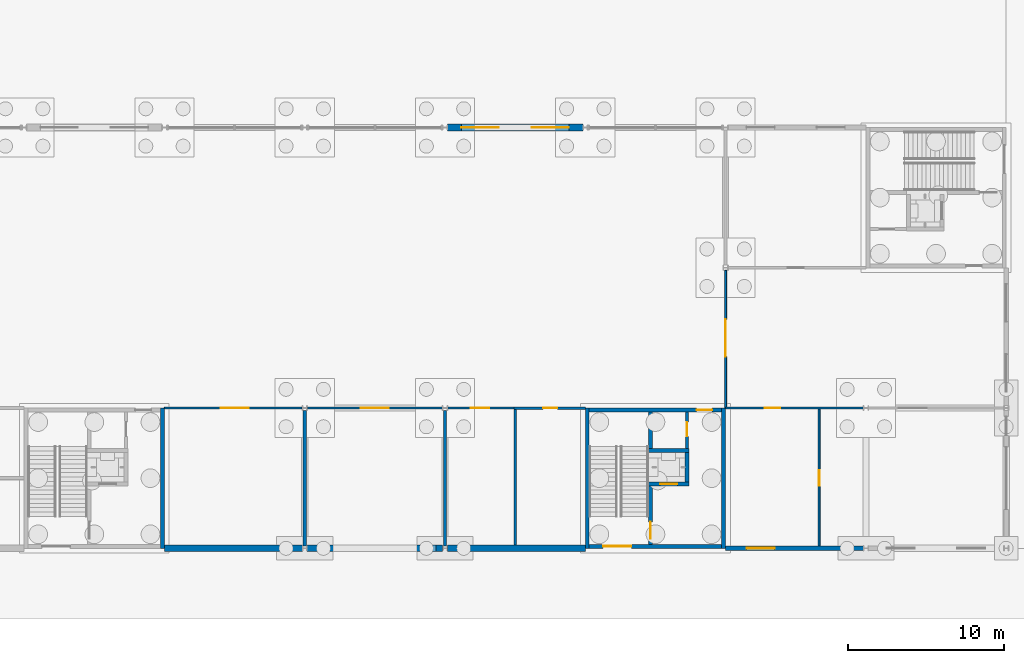
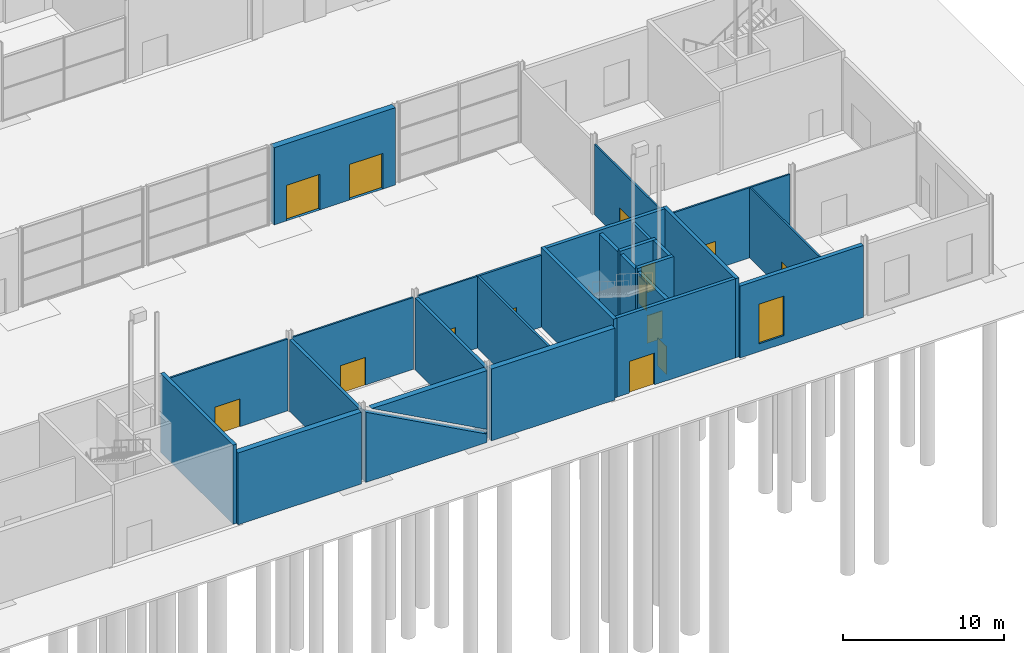
# One storey, part 74 of 97: 26 walls, 14 doors, 1 window, 15 openings.
"""IFC4 building model written with IfcOpenShell, lengths in metres."""

from ifc_helpers import new_model, si_unit, direction, frame, frame_2d, origin, place, context, subcontext, project, spatial, polyline, rectangle, outline, extrude, material, layer, layer_set, type_object, element, fill, save


model = new_model("IFC4")

# Units and contexts
model_context = context("Model", 3, precision=1e-05, world=origin(), true_north=direction((0.0, 1.0)))
body_context = subcontext(model_context, "Body", "Model", "MODEL_VIEW")
ifc_project = project(units=[si_unit("LENGTHUNIT", "METRE"), si_unit("AREAUNIT", "SQUARE_METRE"), si_unit("VOLUMEUNIT", "CUBIC_METRE"), si_unit("PLANEANGLEUNIT", "RADIAN"), si_unit("MASSUNIT", "GRAM", prefix="KILO")], contexts=[model_context])

# Site, building, storey
site_placement = place(None, origin())
site = spatial("IfcSite", under=ifc_project, at=site_placement, CompositionType="ELEMENT")
building_placement = place(site_placement, origin())
building = spatial("IfcBuilding", under=site, at=building_placement, Name="Corbel Yard City Hall", CompositionType="ELEMENT")
storey_placement = place(building_placement, origin())
storey = spatial("IfcBuildingStorey", under=building, at=storey_placement, Name="L00", CompositionType="ELEMENT", Elevation=0.0)

# Walls
ifc_material_1 = material(Name="Concrete N50 (50 MPa)", Category="concrete")
ifc_layer_1 = layer(ifc_material_1, 0.25)
ifc_layer_set_1 = layer_set([ifc_layer_1], Name="Concrete N50 (50 MPa)")
wall_type_1 = type_object("IfcWallType", Name="Core cell wall 250", PredefinedType="SHEAR", material=ifc_layer_set_1)
for number, where, z_axis, x_axis, name in (
    (1, (125.875, 0.0, 0.0), (0.0, 0.0, 1.0), (0.0, 1.0, 0.0), "Core PC-S3 east wall"),
    (2, (153.125, 0.0, 0.0), (0.0, 0.0, 1.0), (0.0, 1.0, 0.0), "Core PC-S4 west wall"),
    (3, (161.875, 0.0, 0.0), (0.0, 0.0, 1.0), (0.0, 1.0, 0.0), "Core PC-S4 east wall"),
):
    element("IfcWall", number, at=place(storey_placement, frame(where, z_axis=z_axis, x_axis=x_axis)), inside=storey, type_object=wall_type_1, Name=name, PredefinedType="SHEAR", context=body_context, shape_type="SweptSolid", body=[
        extrude(rectangle(XDim=9.0, YDim=0.25, at=frame_2d((4.5, 0.0))), origin(), (0.0, 0.0, 1.0), 6.0),
    ])

# Wall, opening, door
wall_1_placement = place(storey_placement, frame((153.25, 0.125, 0.0), z_axis=(0.0, 0.0, 1.0), x_axis=(1.0, 0.0, 0.0)))
wall_1 = element("IfcWall", 4, at=wall_1_placement, inside=storey, type_object=wall_type_1, Name="Core PC-S4 south wall", PredefinedType="SHEAR", context=body_context, shape_type="SweptSolid", body=[
    extrude(rectangle(XDim=8.5, YDim=0.25, at=frame_2d((4.25, 0.0))), origin(), (0.0, 0.0, 1.0), 6.0),
])
opening_1_placement = place(wall_1_placement, frame((0.89990234375, 0.0, 0.0)))
opening_1 = element("IfcOpeningElement", 5, at=opening_1_placement, cuts=wall_1, Name="Opening L00-034", PredefinedType="OPENING", context=body_context, shape_type="SweptSolid", body=[
    extrude(rectangle(XDim=1.800048828125, YDim=2.39990234375, at=frame_2d((0.89990234375, 1.199951171875))), frame((0.0, 0.135009765625, 0.0), z_axis=(0.0, -1.0, 0.0), x_axis=(1.0, 0.0, 0.0)), (0.0, 0.0, 1.0), 0.27001953125),
])
ifc_material_2 = material(Name="Steel Grade G250, insulated infill", Category="steel")
door_type_1 = type_object("IfcDoorType", Name="XD2", OperationType="DOUBLE_DOOR_SINGLE_SWING", PredefinedType="DOOR", material=ifc_material_2)
door_1_placement = place(opening_1_placement, frame((1.800048828125, 0.0, 0.0), z_axis=(0.0, 0.0, 1.0), x_axis=(-1.0, 0.0, 0.0)))
door_1 = element("IfcDoor", 6, at=door_1_placement, inside=storey, type_object=door_type_1, Name="Stair exit door PC-S4", OperationType="DOUBLE_DOOR_SINGLE_SWING", OverallHeight=2.39990234375, OverallWidth=1.800048828125, PredefinedType="DOOR", context=body_context, shape_type="SweptSolid", body=[
    extrude(rectangle(XDim=1.800048828125, YDim=2.39990234375, at=frame_2d((0.89990234375, 1.199951171875))), frame((0.0, 0.02490234375, 0.0), z_axis=(0.0, -1.0, 0.0), x_axis=(1.0, 0.0, 0.0)), (0.0, 0.0, 1.0), 0.050048828125),
])
fill(opening_1, door_1)

wall_2_placement = place(storey_placement, frame((153.25, 8.875, 0.0), z_axis=(0.0, 0.0, 1.0), x_axis=(1.0, 0.0, 0.0)))
wall_2 = element("IfcWall", 7, at=wall_2_placement, inside=storey, type_object=wall_type_1, Name="Core PC-S4 north wall", PredefinedType="SHEAR", context=body_context, shape_type="SweptSolid", body=[
    extrude(rectangle(XDim=8.5, YDim=0.25, at=frame_2d((4.25, 0.0))), origin(), (0.0, 0.0, 1.0), 6.0),
])
opening_2_placement = place(wall_2_placement, frame((6.887451171875, 0.0, 0.0)))
opening_2 = element("IfcOpeningElement", 8, at=opening_2_placement, cuts=wall_2, Name="Opening L00-083", PredefinedType="OPENING", context=body_context, shape_type="SweptSolid", body=[
    extrude(rectangle(XDim=1.0, YDim=2.10009765625, at=frame_2d((0.5, 1.050048828125))), frame((0.0, 0.135009765625, 0.0), z_axis=(0.0, -1.0, 0.0), x_axis=(1.0, 0.0, 0.0)), (0.0, 0.0, 1.0), 0.27001953125),
])
ifc_material_3 = material(Name="Steel Grade G250", Category="steel")
door_type_2 = type_object("IfcDoorType", Name="FS1", OperationType="SINGLE_SWING_LEFT", PredefinedType="DOOR", material=ifc_material_3)
door_2_placement = place(opening_2_placement, frame((1.0, 0.0, 0.0), z_axis=(0.0, 0.0, 1.0), x_axis=(-1.0, 0.0, 0.0)))
door_2 = element("IfcDoor", 9, at=door_2_placement, inside=storey, type_object=door_type_2, Name="Door Lift Lobby", OperationType="SINGLE_SWING_RIGHT", OverallHeight=2.10009765625, OverallWidth=1.0, PredefinedType="DOOR", context=body_context, shape_type="SweptSolid", body=[
    extrude(rectangle(XDim=1.0, YDim=2.10009765625, at=frame_2d((0.5, 1.050048828125))), frame((0.0, 0.02490234375, 0.0), z_axis=(0.0, -1.0, 0.0), x_axis=(1.0, 0.0, 0.0)), (0.0, 0.0, 1.0), 0.050048828125),
])
fill(opening_2, door_2)

# Wall, opening, window
ifc_material_4 = material(Name="Sandstone cladding", Category="masonry")
ifc_layer_2 = layer(ifc_material_4, 0.0400390625)
ifc_material_5 = material(Name="Air cavity", Category="air")
ifc_layer_3 = layer(ifc_material_5, 0.0400390625)
ifc_material_6 = material(Name="Concrete block", Category="concrete")
ifc_layer_4 = layer(ifc_material_6, 0.18994140625)
ifc_material_7 = material(Name="Gypsum plasterboard", Category="gypsum")
ifc_layer_5 = layer(ifc_material_7, 0.030029296875)
ifc_layer_set_2 = layer_set([ifc_layer_2, ifc_layer_3, ifc_layer_4, ifc_layer_5], Name="Concrete block")
wall_type_2 = type_object("IfcWallType", Name="EW1", PredefinedType="SOLIDWALL", material=ifc_layer_set_2)
wall_3_placement = place(storey_placement, frame((162.0, 0.0, 0.0), z_axis=(0.0, 0.0, 1.0), x_axis=(1.0, 0.0, 0.0)))
wall_3 = element("IfcWall", 10, at=wall_3_placement, inside=storey, type_object=wall_type_2, Name="External wall", PredefinedType="SOLIDWALL", context=body_context, shape_type="SweptSolid", body=[
    extrude(rectangle(XDim=8.842529296875, YDim=0.300048828125, at=frame_2d((4.42138671875, 0.0))), origin(), (0.0, 0.0, 1.0), 5.444091796875),
])
opening_3_placement = place(wall_3_placement, frame((1.35009765625, 0.0, 0.60009765625)))
opening_3 = element("IfcOpeningElement", 11, at=opening_3_placement, cuts=wall_3, Name="Opening WN2", PredefinedType="OPENING", context=body_context, shape_type="SweptSolid", body=[
    extrude(rectangle(XDim=1.800048828125, YDim=3.0, at=frame_2d((0.89990234375, 1.5))), frame((0.0, 0.159912109375, 0.0), z_axis=(0.0, -1.0, 0.0), x_axis=(1.0, 0.0, 0.0)), (0.0, 0.0, 1.0), 0.320068359375),
])
ifc_material_8 = material(Name="Aluminium frame, double glazed low-e glass", Category="aluminium")
window_type = type_object("IfcWindowType", Name="WN2", PartitioningType="SINGLE_PANEL", PredefinedType="WINDOW", material=ifc_material_8)
window_placement = place(opening_3_placement, origin())
window = element("IfcWindow", 12, at=window_placement, inside=storey, type_object=window_type, Name="Window WN2 L00", OverallHeight=3.0, OverallWidth=1.800048828125, PartitioningType="SINGLE_PANEL", PredefinedType="WINDOW", context=body_context, shape_type="SweptSolid", body=[
    extrude(rectangle(XDim=1.800048828125, YDim=3.0, at=frame_2d((0.89990234375, 1.5))), frame((0.0, 0.030029296875, 0.0), z_axis=(0.0, -1.0, 0.0), x_axis=(1.0, 0.0, 0.0)), (0.0, 0.0, 1.0), 0.06005859375),
])
fill(opening_3, window)

# Wall, openings, doors
ifc_layer_6 = layer(ifc_material_4, 0.06005859375)
ifc_layer_7 = layer(ifc_material_5, 0.0400390625)
ifc_material_9 = material(Name="Concrete N40 (40 MPa)", Category="concrete")
ifc_layer_8 = layer(ifc_material_9, 0.25)
ifc_material_10 = material(Name="Mineral wool", Category="insulation")
ifc_layer_9 = layer(ifc_material_10, 0.10009765625)
ifc_layer_set_3 = layer_set([ifc_layer_6, ifc_layer_7, ifc_layer_8, ifc_layer_9], Name="Concrete N40 (40 MPa)")
wall_type_3 = type_object("IfcWallType", Name="EW2", PredefinedType="SOLIDWALL", material=ifc_layer_set_3)
wall_4_placement = place(storey_placement, frame((144.16357421875, 27.0, 0.0), z_axis=(0.0, 0.0, 1.0), x_axis=(1.0, 0.0, 0.0)))
wall_4 = element("IfcWall", 13, at=wall_4_placement, inside=storey, type_object=wall_type_3, Name="Entrance pier wall", PredefinedType="SOLIDWALL", context=body_context, shape_type="SweptSolid", body=[
    extrude(rectangle(XDim=8.6728515625, YDim=0.449951171875, at=frame_2d((4.33642578125, 0.0))), origin(), (0.0, 0.0, 1.0), 5.85009765625),
])
opening_4_placement = place(wall_4_placement, frame((0.886474609375, 0.0, 0.0)))
opening_4 = element("IfcOpeningElement", 14, at=opening_4_placement, cuts=wall_4, Name="Opening L00-009", PredefinedType="OPENING", context=body_context, shape_type="SweptSolid", body=[
    extrude(rectangle(XDim=2.39990234375, YDim=2.699951171875, at=frame_2d((1.199951171875, 1.35009765625))), frame((0.0, 0.23486328125, 0.0), z_axis=(0.0, -1.0, 0.0), x_axis=(1.0, 0.0, 0.0)), (0.0, 0.0, 1.0), 0.469970703125),
])
opening_5_placement = place(wall_4_placement, frame((5.386474609375, 0.0, 0.0)))
opening_5 = element("IfcOpeningElement", 15, at=opening_5_placement, cuts=wall_4, Name="Opening L00-010", PredefinedType="OPENING", context=body_context, shape_type="SweptSolid", body=[
    extrude(rectangle(XDim=2.39990234375, YDim=2.699951171875, at=frame_2d((1.199951171875, 1.35009765625))), frame((0.0, 0.23486328125, 0.0), z_axis=(0.0, -1.0, 0.0), x_axis=(1.0, 0.0, 0.0)), (0.0, 0.0, 1.0), 0.469970703125),
])
ifc_material_11 = material(Name="Aluminium frame, toughened laminated glass", Category="aluminium")
door_type_3 = type_object("IfcDoorType", Name="XD1", OperationType="DOUBLE_DOOR_SINGLE_SWING", PredefinedType="DOOR", material=ifc_material_11)
door_3_placement = place(opening_4_placement, origin())
door_3 = element("IfcDoor", 16, at=door_3_placement, inside=storey, type_object=door_type_3, Name="Public Hall entrance 5 door 1", OperationType="DOUBLE_DOOR_SINGLE_SWING", OverallHeight=2.699951171875, OverallWidth=2.39990234375, PredefinedType="DOOR", context=body_context, shape_type="SweptSolid", body=[
    extrude(rectangle(XDim=2.39990234375, YDim=2.699951171875, at=frame_2d((1.199951171875, 1.35009765625))), frame((0.0, 0.02490234375, 0.0), z_axis=(0.0, -1.0, 0.0), x_axis=(1.0, 0.0, 0.0)), (0.0, 0.0, 1.0), 0.050048828125),
])
fill(opening_4, door_3)
door_4_placement = place(opening_5_placement, origin())
door_4 = element("IfcDoor", 17, at=door_4_placement, inside=storey, type_object=door_type_3, Name="Public Hall entrance 5 door 2", OperationType="DOUBLE_DOOR_SINGLE_SWING", OverallHeight=2.699951171875, OverallWidth=2.39990234375, PredefinedType="DOOR", context=body_context, shape_type="SweptSolid", body=[
    extrude(rectangle(XDim=2.39990234375, YDim=2.699951171875, at=frame_2d((1.199951171875, 1.35009765625))), frame((0.0, 0.02490234375, 0.0), z_axis=(0.0, -1.0, 0.0), x_axis=(1.0, 0.0, 0.0)), (0.0, 0.0, 1.0), 0.050048828125),
])
fill(opening_5, door_4)

# Walls
ifc_layer_10 = layer(ifc_material_7, 0.031982421875)
ifc_layer_11 = layer(ifc_material_5, 0.133056640625)
ifc_layer_12 = layer(ifc_material_6, 0.18994140625)
ifc_material_12 = material(Name="Cement render", Category="render")
ifc_layer_13 = layer(ifc_material_12, 0.0400390625)
ifc_material_13 = material(Name="Acoustic sealant", Category="sealant")
ifc_layer_14 = layer(ifc_material_13, 0.0048828125)
ifc_layer_set_4 = layer_set([ifc_layer_10, ifc_layer_11, ifc_layer_12, ifc_layer_13, ifc_layer_14], Name="Concrete block")
wall_type_4 = type_object("IfcWallType", Name="EW3", PredefinedType="SOLIDWALL", material=ifc_layer_set_4)
wall_5_placement = place(storey_placement, frame((126.0, 0.0, 0.0), z_axis=(0.0, 0.0, 1.0), x_axis=(1.0, 0.0, 0.0)))
element("IfcWall", 18, at=wall_5_placement, inside=storey, type_object=wall_type_4, Name="Acoustic wall", PredefinedType="SOLIDWALL", context=body_context, shape_type="SweptSolid", body=[
    extrude(rectangle(XDim=8.842529296875, YDim=0.39990234375, at=frame_2d((4.42138671875, 0.0))), origin(), (0.0, 0.0, 1.0), 5.444091796875),
])
wall_6_placement = place(storey_placement, frame((135.157470703125, 0.0, 0.0), z_axis=(0.0, 0.0, 1.0), x_axis=(1.0, 0.0, 0.0)))
element("IfcWall", 19, at=wall_6_placement, inside=storey, type_object=wall_type_4, Name="Acoustic wall", PredefinedType="SOLIDWALL", context=body_context, shape_type="SweptSolid", body=[
    extrude(outline(polyline([(8.68505859375, 0.0), (0.0, 0.0), (0.0, 5.322021484375), (8.610595703125, 0.662353515625), (8.68505859375, 0.800048828125), (8.68505859375, 0.0)])), frame((0.0, 0.199951171875, 0.0), z_axis=(0.0, -1.0, 0.0), x_axis=(1.0, 0.0, 0.0)), (0.0, 0.0, 1.0), 0.39990234375),
])
wall_7_placement = place(storey_placement, frame((135.157470703125, 0.0, 0.0), z_axis=(0.0, 0.0, 1.0), x_axis=(1.0, 0.0, 0.0)))
element("IfcWall", 20, at=wall_7_placement, inside=storey, type_object=wall_type_4, Name="Acoustic wall", PredefinedType="SOLIDWALL", context=body_context, shape_type="SweptSolid", body=[
    extrude(outline(polyline([(8.68505859375, 5.444091796875), (8.68505859375, 0.97802734375), (0.432373046875, 5.444091796875), (8.68505859375, 5.444091796875)])), frame((0.0, 0.199951171875, 0.0), z_axis=(0.0, -1.0, 0.0), x_axis=(1.0, 0.0, 0.0)), (0.0, 0.0, 1.0), 0.39990234375),
])
wall_8_placement = place(storey_placement, frame((144.157470703125, 0.0, 0.0), z_axis=(0.0, 0.0, 1.0), x_axis=(1.0, 0.0, 0.0)))
element("IfcWall", 21, at=wall_8_placement, inside=storey, type_object=wall_type_4, Name="Acoustic wall", PredefinedType="SOLIDWALL", context=body_context, shape_type="SweptSolid", body=[
    extrude(rectangle(XDim=8.842529296875, YDim=0.39990234375, at=frame_2d((4.42138671875, 0.0))), origin(), (0.0, 0.0, 1.0), 5.444091796875),
])

# Wall, opening, door
ifc_layer_15 = layer(ifc_material_9, 0.25)
ifc_layer_set_5 = layer_set([ifc_layer_15], Name="Concrete N40 (40 MPa)")
wall_type_5 = type_object("IfcWallType", Name="IW2", PredefinedType="SOLIDWALL", material=ifc_layer_set_5)
wall_9_placement = place(storey_placement, frame((157.175048828125, 0.25, 0.0), z_axis=(0.0, 0.0, 1.0), x_axis=(0.0, 1.0, 0.0)))
wall_9 = element("IfcWall", 22, at=wall_9_placement, inside=storey, type_object=wall_type_5, Name="Stair enclosure wall", PredefinedType="SOLIDWALL", context=body_context, shape_type="SweptSolid", body=[
    extrude(rectangle(XDim=8.5, YDim=0.25, at=frame_2d((4.25, 0.0))), origin(), (0.0, 0.0, 1.0), 5.75),
])
opening_6_placement = place(wall_9_placement, frame((0.35009765625, 0.0, 0.0)))
opening_6 = element("IfcOpeningElement", 23, at=opening_6_placement, cuts=wall_9, Name="Opening L00-082", PredefinedType="OPENING", context=body_context, shape_type="SweptSolid", body=[
    extrude(rectangle(XDim=1.10009765625, YDim=2.10009765625, at=frame_2d((0.550048828125, 1.050048828125))), frame((0.0, 0.135009765625, 0.0), z_axis=(0.0, -1.0, 0.0), x_axis=(1.0, 0.0, 0.0)), (0.0, 0.0, 1.0), 0.27001953125),
])
door_type_4 = type_object("IfcDoorType", Name="FS11", OperationType="SINGLE_SWING_LEFT", PredefinedType="DOOR", material=ifc_material_3)
door_5_placement = place(opening_6_placement, origin())
door_5 = element("IfcDoor", 24, at=door_5_placement, inside=storey, type_object=door_type_4, Name="Door Exit Stair 5", OperationType="SINGLE_SWING_LEFT", OverallHeight=2.10009765625, OverallWidth=1.10009765625, PredefinedType="DOOR", context=body_context, shape_type="SweptSolid", body=[
    extrude(rectangle(XDim=1.10009765625, YDim=2.10009765625, at=frame_2d((0.550048828125, 1.050048828125))), frame((0.0, 0.02490234375, 0.0), z_axis=(0.0, -1.0, 0.0), x_axis=(1.0, 0.0, 0.0)), (0.0, 0.0, 1.0), 0.050048828125),
])
fill(opening_6, door_5)

wall_10_placement = place(storey_placement, frame((157.050048828125, 4.125, -1.39990234375), z_axis=(0.0, 0.0, 1.0), x_axis=(1.0, 0.0, 0.0)))
wall_10 = element("IfcWall", 25, at=wall_10_placement, inside=storey, type_object=wall_type_5, Name="Lift LP5 shaft wall", PredefinedType="SOLIDWALL", context=body_context, shape_type="SweptSolid", body=[
    extrude(rectangle(XDim=2.599853515625, YDim=0.25, at=frame_2d((1.2998046875, 0.0))), origin(), (0.0, 0.0, 1.0), 7.39990234375),
])
opening_7_placement = place(wall_10_placement, frame((0.75, 0.0, 1.39990234375)))
opening_7 = element("IfcOpeningElement", 26, at=opening_7_placement, cuts=wall_10, Name="Opening L00-061", PredefinedType="OPENING", context=body_context, shape_type="SweptSolid", body=[
    extrude(rectangle(XDim=1.10009765625, YDim=2.10009765625, at=frame_2d((0.550048828125, 1.050048828125))), frame((0.0, 0.135009765625, 0.0), z_axis=(0.0, -1.0, 0.0), x_axis=(1.0, 0.0, 0.0)), (0.0, 0.0, 1.0), 0.27001953125),
])
ifc_material_14 = material(Name="Stainless steel Grade 316", Category="steel")
door_type_5 = type_object("IfcDoorType", Name="LD1", OperationType="DOUBLE_DOOR_SLIDING", PredefinedType="DOOR", material=ifc_material_14)
door_6_placement = place(opening_7_placement, origin())
door_6 = element("IfcDoor", 27, at=door_6_placement, inside=storey, type_object=door_type_5, Name="Lift LP5 landing door", OperationType="DOUBLE_DOOR_SLIDING", OverallHeight=2.10009765625, OverallWidth=1.10009765625, PredefinedType="DOOR", context=body_context, shape_type="SweptSolid", body=[
    extrude(rectangle(XDim=1.10009765625, YDim=2.10009765625, at=frame_2d((0.550048828125, 1.050048828125))), frame((0.0, 0.02490234375, 0.0), z_axis=(0.0, -1.0, 0.0), x_axis=(1.0, 0.0, 0.0)), (0.0, 0.0, 1.0), 0.050048828125),
])
fill(opening_7, door_6)

# Walls
wall_11_placement = place(storey_placement, frame((157.050048828125, 6.27490234375, -1.39990234375), z_axis=(0.0, 0.0, 1.0), x_axis=(1.0, 0.0, 0.0)))
element("IfcWall", 28, at=wall_11_placement, inside=storey, type_object=wall_type_5, Name="Lift LP5 shaft wall", PredefinedType="SOLIDWALL", context=body_context, shape_type="SweptSolid", body=[
    extrude(rectangle(XDim=2.599853515625, YDim=0.25, at=frame_2d((1.2998046875, 0.0))), origin(), (0.0, 0.0, 1.0), 7.39990234375),
])
wall_12_placement = place(storey_placement, frame((159.52490234375, 4.25, -1.39990234375), z_axis=(0.0, 0.0, 1.0), x_axis=(0.0, 1.0, 0.0)))
element("IfcWall", 29, at=wall_12_placement, inside=storey, type_object=wall_type_5, Name="Lift LP5 shaft wall", PredefinedType="SOLIDWALL", context=body_context, shape_type="SweptSolid", body=[
    extrude(rectangle(XDim=1.89990234375, YDim=0.25, at=frame_2d((0.949951171875, 0.0))), origin(), (0.0, 0.0, 1.0), 7.39990234375),
])

# Wall, opening, door
ifc_layer_16 = layer(ifc_material_7, 0.028076171875)
ifc_material_15 = material(Name="Steel Grade G550 (550 MPa yield)", Category="steel")
ifc_layer_17 = layer(ifc_material_15, 0.06396484375)
ifc_layer_18 = layer(ifc_material_7, 0.028076171875)
ifc_layer_set_6 = layer_set([ifc_layer_16, ifc_layer_17, ifc_layer_18], Name="Steel Grade G550 (550 MPa yield)")
wall_type_6 = type_object("IfcWallType", Name="PT1", PredefinedType="PARTITIONING", material=ifc_layer_set_6)
wall_13_placement = place(storey_placement, frame((126.0, 9.0, 0.0), z_axis=(0.0, 0.0, 1.0), x_axis=(1.0, 0.0, 0.0)))
wall_13 = element("IfcWall", 30, at=wall_13_placement, inside=storey, type_object=wall_type_6, Name="Partition", PredefinedType="PARTITIONING", context=body_context, shape_type="SweptSolid", body=[
    extrude(rectangle(XDim=8.83642578125, YDim=0.1201171875, at=frame_2d((4.418212890625, 0.0))), origin(), (0.0, 0.0, 1.0), 5.444091796875),
])
opening_8_placement = place(wall_13_placement, frame((3.60009765625, 0.0, 0.0)))
opening_8 = element("IfcOpeningElement", 31, at=opening_8_placement, cuts=wall_13, Name="Opening L00-095", PredefinedType="OPENING", context=body_context, shape_type="SweptSolid", body=[
    extrude(rectangle(XDim=1.800048828125, YDim=2.10009765625, at=frame_2d((0.89990234375, 1.050048828125))), frame((0.0, 0.070068359375, 0.0), z_axis=(0.0, -1.0, 0.0), x_axis=(1.0, 0.0, 0.0)), (0.0, 0.0, 1.0), 0.14013671875),
])
ifc_material_16 = material(Name="Timber", Category="wood")
door_type_6 = type_object("IfcDoorType", Name="D3", OperationType="DOUBLE_DOOR_SINGLE_SWING", PredefinedType="DOOR", material=ifc_material_16)
door_7_placement = place(opening_8_placement, origin())
door_7 = element("IfcDoor", 32, at=door_7_placement, inside=storey, type_object=door_type_6, Name="Door Women's WC Block", OperationType="DOUBLE_DOOR_SINGLE_SWING", OverallHeight=2.10009765625, OverallWidth=1.800048828125, PredefinedType="DOOR", context=body_context, shape_type="SweptSolid", body=[
    extrude(rectangle(XDim=1.800048828125, YDim=2.10009765625, at=frame_2d((0.89990234375, 1.050048828125))), frame((0.0, 0.02490234375, 0.0), z_axis=(0.0, -1.0, 0.0), x_axis=(1.0, 0.0, 0.0)), (0.0, 0.0, 1.0), 0.050048828125),
])
fill(opening_8, door_7)

wall_14_placement = place(storey_placement, frame((135.16357421875, 9.0, 0.0), z_axis=(0.0, 0.0, 1.0), x_axis=(1.0, 0.0, 0.0)))
wall_14 = element("IfcWall", 33, at=wall_14_placement, inside=storey, type_object=wall_type_6, Name="Partition", PredefinedType="PARTITIONING", context=body_context, shape_type="SweptSolid", body=[
    extrude(rectangle(XDim=8.6728515625, YDim=0.1201171875, at=frame_2d((4.33642578125, 0.0))), origin(), (0.0, 0.0, 1.0), 5.444091796875),
])
opening_9_placement = place(wall_14_placement, frame((3.4365234375, 0.0, 0.0)))
opening_9 = element("IfcOpeningElement", 34, at=opening_9_placement, cuts=wall_14, Name="Opening L00-096", PredefinedType="OPENING", context=body_context, shape_type="SweptSolid", body=[
    extrude(rectangle(XDim=1.800048828125, YDim=2.10009765625, at=frame_2d((0.89990234375, 1.050048828125))), frame((0.0, 0.070068359375, 0.0), z_axis=(0.0, -1.0, 0.0), x_axis=(1.0, 0.0, 0.0)), (0.0, 0.0, 1.0), 0.14013671875),
])
door_8_placement = place(opening_9_placement, origin())
door_8 = element("IfcDoor", 35, at=door_8_placement, inside=storey, type_object=door_type_6, Name="Door Men's WC Block", OperationType="DOUBLE_DOOR_SINGLE_SWING", OverallHeight=2.10009765625, OverallWidth=1.800048828125, PredefinedType="DOOR", context=body_context, shape_type="SweptSolid", body=[
    extrude(rectangle(XDim=1.800048828125, YDim=2.10009765625, at=frame_2d((0.89990234375, 1.050048828125))), frame((0.0, 0.02490234375, 0.0), z_axis=(0.0, -1.0, 0.0), x_axis=(1.0, 0.0, 0.0)), (0.0, 0.0, 1.0), 0.050048828125),
])
fill(opening_9, door_8)

wall_15_placement = place(storey_placement, frame((144.16357421875, 9.0, 0.0), z_axis=(0.0, 0.0, 1.0), x_axis=(1.0, 0.0, 0.0)))
wall_15 = element("IfcWall", 36, at=wall_15_placement, inside=storey, type_object=wall_type_6, Name="Partition", PredefinedType="PARTITIONING", context=body_context, shape_type="SweptSolid", body=[
    extrude(rectangle(XDim=4.25634765625, YDim=0.1201171875, at=frame_2d((2.128173828125, 0.0))), origin(), (0.0, 0.0, 1.0), 5.444091796875),
])
opening_10_placement = place(wall_15_placement, frame((1.486572265625, 0.0, 0.0)))
opening_10 = element("IfcOpeningElement", 37, at=opening_10_placement, cuts=wall_15, Name="Opening L00-097", PredefinedType="OPENING", context=body_context, shape_type="SweptSolid", body=[
    extrude(rectangle(XDim=1.199951171875, YDim=2.10009765625, at=frame_2d((0.60009765625, 1.050048828125))), frame((0.0, 0.070068359375, 0.0), z_axis=(0.0, -1.0, 0.0), x_axis=(1.0, 0.0, 0.0)), (0.0, 0.0, 1.0), 0.14013671875),
])
door_type_7 = type_object("IfcDoorType", Name="D7", OperationType="SINGLE_SWING_LEFT", PredefinedType="DOOR", material=ifc_material_16)
door_9_placement = place(opening_10_placement, frame((1.199951171875, 0.0, 0.0), z_axis=(0.0, 0.0, 1.0), x_axis=(-1.0, 0.0, 0.0)))
door_9 = element("IfcDoor", 38, at=door_9_placement, inside=storey, type_object=door_type_7, Name="Door Accessible WC Suite", OperationType="SINGLE_SWING_RIGHT", OverallHeight=2.10009765625, OverallWidth=1.199951171875, PredefinedType="DOOR", context=body_context, shape_type="SweptSolid", body=[
    extrude(rectangle(XDim=1.199951171875, YDim=2.10009765625, at=frame_2d((0.60009765625, 1.050048828125))), frame((0.0, 0.02490234375, 0.0), z_axis=(0.0, -1.0, 0.0), x_axis=(1.0, 0.0, 0.0)), (0.0, 0.0, 1.0), 0.050048828125),
])
fill(opening_10, door_9)

wall_16_placement = place(storey_placement, frame((162.0, 9.0, 0.0), z_axis=(0.0, 0.0, 1.0), x_axis=(1.0, 0.0, 0.0)))
wall_16 = element("IfcWall", 39, at=wall_16_placement, inside=storey, type_object=wall_type_6, Name="Partition", PredefinedType="PARTITIONING", context=body_context, shape_type="SweptSolid", body=[
    extrude(rectangle(XDim=8.83642578125, YDim=0.1201171875, at=frame_2d((4.418212890625, 0.0))), origin(), (0.0, 0.0, 1.0), 5.322021484375),
])
opening_11_placement = place(wall_16_placement, frame((2.5, 0.0, 0.0)))
opening_11 = element("IfcOpeningElement", 40, at=opening_11_placement, cuts=wall_16, Name="Opening L00-100", PredefinedType="OPENING", context=body_context, shape_type="SweptSolid", body=[
    extrude(rectangle(XDim=1.0, YDim=2.10009765625, at=frame_2d((0.5, 1.050048828125))), frame((0.0, 0.070068359375, 0.0), z_axis=(0.0, -1.0, 0.0), x_axis=(1.0, 0.0, 0.0)), (0.0, 0.0, 1.0), 0.14013671875),
])
door_type_8 = type_object("IfcDoorType", Name="D1", OperationType="SINGLE_SWING_LEFT", PredefinedType="DOOR", material=ifc_material_16)
door_10_placement = place(opening_11_placement, frame((1.0, 0.0, 0.0), z_axis=(0.0, 0.0, 1.0), x_axis=(-1.0, 0.0, 0.0)))
door_10 = element("IfcDoor", 41, at=door_10_placement, inside=storey, type_object=door_type_8, Name="Door Dock Office", OperationType="SINGLE_SWING_LEFT", OverallHeight=2.10009765625, OverallWidth=1.0, PredefinedType="DOOR", context=body_context, shape_type="SweptSolid", body=[
    extrude(rectangle(XDim=1.0, YDim=2.10009765625, at=frame_2d((0.5, 1.050048828125))), frame((0.0, 0.02490234375, 0.0), z_axis=(0.0, -1.0, 0.0), x_axis=(1.0, 0.0, 0.0)), (0.0, 0.0, 1.0), 0.050048828125),
])
fill(opening_11, door_10)

wall_17_placement = place(storey_placement, frame((162.0, 9.0, 0.0), z_axis=(0.0, 0.0, 1.0), x_axis=(0.0, 1.0, 0.0)))
wall_17 = element("IfcWall", 42, at=wall_17_placement, inside=storey, type_object=wall_type_6, Name="Partition", PredefinedType="PARTITIONING", context=body_context, shape_type="SweptSolid", body=[
    extrude(rectangle(XDim=8.83642578125, YDim=0.1201171875, at=frame_2d((4.418212890625, 0.0))), origin(), (0.0, 0.0, 1.0), 5.322021484375),
])
opening_12_placement = place(wall_17_placement, frame((3.300048828125, 0.0, 0.0)))
opening_12 = element("IfcOpeningElement", 43, at=opening_12_placement, cuts=wall_17, Name="Opening L00-099", PredefinedType="OPENING", context=body_context, shape_type="SweptSolid", body=[
    extrude(rectangle(XDim=2.39990234375, YDim=2.39990234375, at=frame_2d((1.199951171875, 1.199951171875))), frame((0.0, 0.070068359375, 0.0), z_axis=(0.0, -1.0, 0.0), x_axis=(1.0, 0.0, 0.0)), (0.0, 0.0, 1.0), 0.14013671875),
])
door_type_9 = type_object("IfcDoorType", Name="D9", OperationType="DOUBLE_DOOR_SINGLE_SWING", PredefinedType="DOOR", material=ifc_material_16)
door_11_placement = place(opening_12_placement, origin())
door_11 = element("IfcDoor", 44, at=door_11_placement, inside=storey, type_object=door_type_9, Name="Door East Entrance Foyer", OperationType="DOUBLE_DOOR_SINGLE_SWING", OverallHeight=2.39990234375, OverallWidth=2.39990234375, PredefinedType="DOOR", context=body_context, shape_type="SweptSolid", body=[
    extrude(rectangle(XDim=2.39990234375, YDim=2.39990234375, at=frame_2d((1.199951171875, 1.199951171875))), frame((0.0, 0.02490234375, 0.0), z_axis=(0.0, -1.0, 0.0), x_axis=(1.0, 0.0, 0.0)), (0.0, 0.0, 1.0), 0.050048828125),
])
fill(opening_12, door_11)

wall_18_placement = place(storey_placement, frame((168.0, 0.14990234375, 0.0), z_axis=(0.0, 0.0, 1.0), x_axis=(0.0, 1.0, 0.0)))
wall_18 = element("IfcWall", 45, at=wall_18_placement, inside=storey, type_object=wall_type_6, Name="Partition", PredefinedType="PARTITIONING", context=body_context, shape_type="SweptSolid", body=[
    extrude(rectangle(XDim=8.7900390625, YDim=0.1201171875, at=frame_2d((4.39501953125, 0.0))), origin(), (0.0, 0.0, 1.0), 5.322021484375),
])
opening_13_placement = place(wall_18_placement, frame((3.85009765625, 0.0, 0.0)))
opening_13 = element("IfcOpeningElement", 46, at=opening_13_placement, cuts=wall_18, Name="Opening L00-101", PredefinedType="OPENING", context=body_context, shape_type="SweptSolid", body=[
    extrude(rectangle(XDim=1.0, YDim=2.10009765625, at=frame_2d((0.5, 1.050048828125))), frame((0.0, 0.070068359375, 0.0), z_axis=(0.0, -1.0, 0.0), x_axis=(1.0, 0.0, 0.0)), (0.0, 0.0, 1.0), 0.14013671875),
])
door_12_placement = place(opening_13_placement, frame((1.0, 0.0, 0.0), z_axis=(0.0, 0.0, 1.0), x_axis=(-1.0, 0.0, 0.0)))
door_12 = element("IfcDoor", 47, at=door_12_placement, inside=storey, type_object=door_type_8, Name="Door Dock Office", OperationType="SINGLE_SWING_RIGHT", OverallHeight=2.10009765625, OverallWidth=1.0, PredefinedType="DOOR", context=body_context, shape_type="SweptSolid", body=[
    extrude(rectangle(XDim=1.0, YDim=2.10009765625, at=frame_2d((0.5, 1.050048828125))), frame((0.0, 0.02490234375, 0.0), z_axis=(0.0, -1.0, 0.0), x_axis=(1.0, 0.0, 0.0)), (0.0, 0.0, 1.0), 0.050048828125),
])
fill(opening_13, door_12)

ifc_layer_19 = layer(ifc_material_7, 0.031982421875)
ifc_layer_20 = layer(ifc_material_15, 0.095947265625)
ifc_layer_21 = layer(ifc_material_7, 0.031982421875)
ifc_layer_set_7 = layer_set([ifc_layer_19, ifc_layer_20, ifc_layer_21], Name="Steel Grade G550 (550 MPa yield)")
wall_type_7 = type_object("IfcWallType", Name="PT3", PredefinedType="PARTITIONING", material=ifc_layer_set_7)
wall_19_placement = place(storey_placement, frame((148.419921875, 9.0, 0.0), z_axis=(0.0, 0.0, 1.0), x_axis=(1.0, 0.0, 0.0)))
wall_19 = element("IfcWall", 48, at=wall_19_placement, inside=storey, type_object=wall_type_7, Name="Fire-resisting wall", PredefinedType="PARTITIONING", context=body_context, shape_type="SweptSolid", body=[
    extrude(rectangle(XDim=4.580078125, YDim=0.159912109375, at=frame_2d((2.2900390625, 0.0))), origin(), (0.0, 0.0, 1.0), 5.444091796875),
])
opening_14_placement = place(wall_19_placement, frame((1.8701171875, 0.0, 0.0)))
opening_14 = element("IfcOpeningElement", 49, at=opening_14_placement, cuts=wall_19, Name="Opening L00-098", PredefinedType="OPENING", context=body_context, shape_type="SweptSolid", body=[
    extrude(rectangle(XDim=0.919921875, YDim=2.10009765625, at=frame_2d((0.4599609375, 1.050048828125))), frame((0.0, 0.08984375, 0.0), z_axis=(0.0, -1.0, 0.0), x_axis=(1.0, 0.0, 0.0)), (0.0, 0.0, 1.0), 0.179931640625),
])
door_type_10 = type_object("IfcDoorType", Name="FD5", OperationType="SINGLE_SWING_RIGHT", PredefinedType="DOOR", material=ifc_material_3)
door_13_placement = place(opening_14_placement, frame((0.919921875, 0.0, 0.0), z_axis=(0.0, 0.0, 1.0), x_axis=(-1.0, 0.0, 0.0)))
door_13 = element("IfcDoor", 50, at=door_13_placement, inside=storey, type_object=door_type_10, Name="Door Cleaners' Store and Service Room", OperationType="SINGLE_SWING_RIGHT", OverallHeight=2.10009765625, OverallWidth=0.919921875, PredefinedType="DOOR", context=body_context, shape_type="SweptSolid", body=[
    extrude(rectangle(XDim=0.919921875, YDim=2.10009765625, at=frame_2d((0.4599609375, 1.050048828125))), frame((0.0, 0.02490234375, 0.0), z_axis=(0.0, -1.0, 0.0), x_axis=(1.0, 0.0, 0.0)), (0.0, 0.0, 1.0), 0.050048828125),
])
fill(opening_14, door_13)

# Wall
wall_20_placement = place(storey_placement, frame((148.5, 0.199951171875, 0.0), z_axis=(0.0, 0.0, 1.0), x_axis=(0.0, 1.0, 0.0)))
element("IfcWall", 51, at=wall_20_placement, inside=storey, type_object=wall_type_7, Name="Fire-resisting wall", PredefinedType="PARTITIONING", context=body_context, shape_type="SweptSolid", body=[
    extrude(rectangle(XDim=8.719970703125, YDim=0.159912109375, at=frame_2d((4.35986328125, 0.0))), origin(), (0.0, 0.0, 1.0), 5.444091796875),
])

# Wall, opening, door
ifc_material_17 = material(Name="Concrete block", Category="concrete")
ifc_layer_22 = layer(ifc_material_17, 0.18994140625)
ifc_layer_set_8 = layer_set([ifc_layer_22], Name="Concrete block")
wall_type_8 = type_object("IfcWallType", Name="PT4", PredefinedType="PARTITIONING", material=ifc_layer_set_8)
wall_21_placement = place(storey_placement, frame((159.52490234375, 6.39990234375, 0.0), z_axis=(0.0, 0.0, 1.0), x_axis=(0.0, 1.0, 0.0)))
wall_21 = element("IfcWall", 52, at=wall_21_placement, inside=storey, type_object=wall_type_8, Name="Fire-resisting block wall", PredefinedType="PARTITIONING", context=body_context, shape_type="SweptSolid", body=[
    extrude(rectangle(XDim=2.35009765625, YDim=0.18994140625, at=frame_2d((1.175048828125, 0.0))), origin(), (0.0, 0.0, 1.0), 5.75),
])
opening_15_placement = place(wall_21_placement, frame((0.777587890625, 0.0, 0.0)))
opening_15 = element("IfcOpeningElement", 53, at=opening_15_placement, cuts=wall_21, Name="Opening L00-084", PredefinedType="OPENING", context=body_context, shape_type="SweptSolid", body=[
    extrude(rectangle(XDim=0.919921875, YDim=2.10009765625, at=frame_2d((0.4599609375, 1.050048828125))), frame((0.0, 0.10498046875, 0.0), z_axis=(0.0, -1.0, 0.0), x_axis=(1.0, 0.0, 0.0)), (0.0, 0.0, 1.0), 0.2099609375),
])
door_type_11 = type_object("IfcDoorType", Name="FS5", OperationType="SINGLE_SWING_RIGHT", PredefinedType="DOOR", material=ifc_material_3)
door_14_placement = place(opening_15_placement, origin())
door_14 = element("IfcDoor", 54, at=door_14_placement, inside=storey, type_object=door_type_11, Name="Door Service Riser", OperationType="SINGLE_SWING_RIGHT", OverallHeight=2.10009765625, OverallWidth=0.919921875, PredefinedType="DOOR", context=body_context, shape_type="SweptSolid", body=[
    extrude(rectangle(XDim=0.919921875, YDim=2.10009765625, at=frame_2d((0.4599609375, 1.050048828125))), frame((0.0, 0.02490234375, 0.0), z_axis=(0.0, -1.0, 0.0), x_axis=(1.0, 0.0, 0.0)), (0.0, 0.0, 1.0), 0.050048828125),
])
fill(opening_15, door_14)

# Walls
ifc_layer_23 = layer(ifc_material_7, 0.031982421875)
ifc_layer_24 = layer(ifc_material_15, 0.156005859375)
ifc_layer_25 = layer(ifc_material_7, 0.031982421875)
ifc_layer_set_9 = layer_set([ifc_layer_23, ifc_layer_24, ifc_layer_25], Name="Steel Grade G550 (550 MPa yield)")
wall_type_9 = type_object("IfcWallType", Name="PT5", PredefinedType="PLUMBINGWALL", material=ifc_layer_set_9)
for number, where, z_axis, x_axis, name in (
    (55, (135.0, 0.157470703125, 0.0), (0.0, 0.0, 1.0), (0.0, 1.0, 0.0), "Wet wall"),
    (56, (144.0, 0.157470703125, 0.0), (0.0, 0.0, 1.0), (0.0, 1.0, 0.0), "Wet wall"),
):
    element("IfcWall", number, at=place(storey_placement, frame(where, z_axis=z_axis, x_axis=x_axis)), inside=storey, type_object=wall_type_9, Name=name, PredefinedType="PLUMBINGWALL", context=body_context, shape_type="SweptSolid", body=[
        extrude(rectangle(XDim=8.678955078125, YDim=0.219970703125, at=frame_2d((4.33935546875, 0.0))), origin(), (0.0, 0.0, 1.0), 5.447021484375),
    ])

save(model, "model.ifc")
